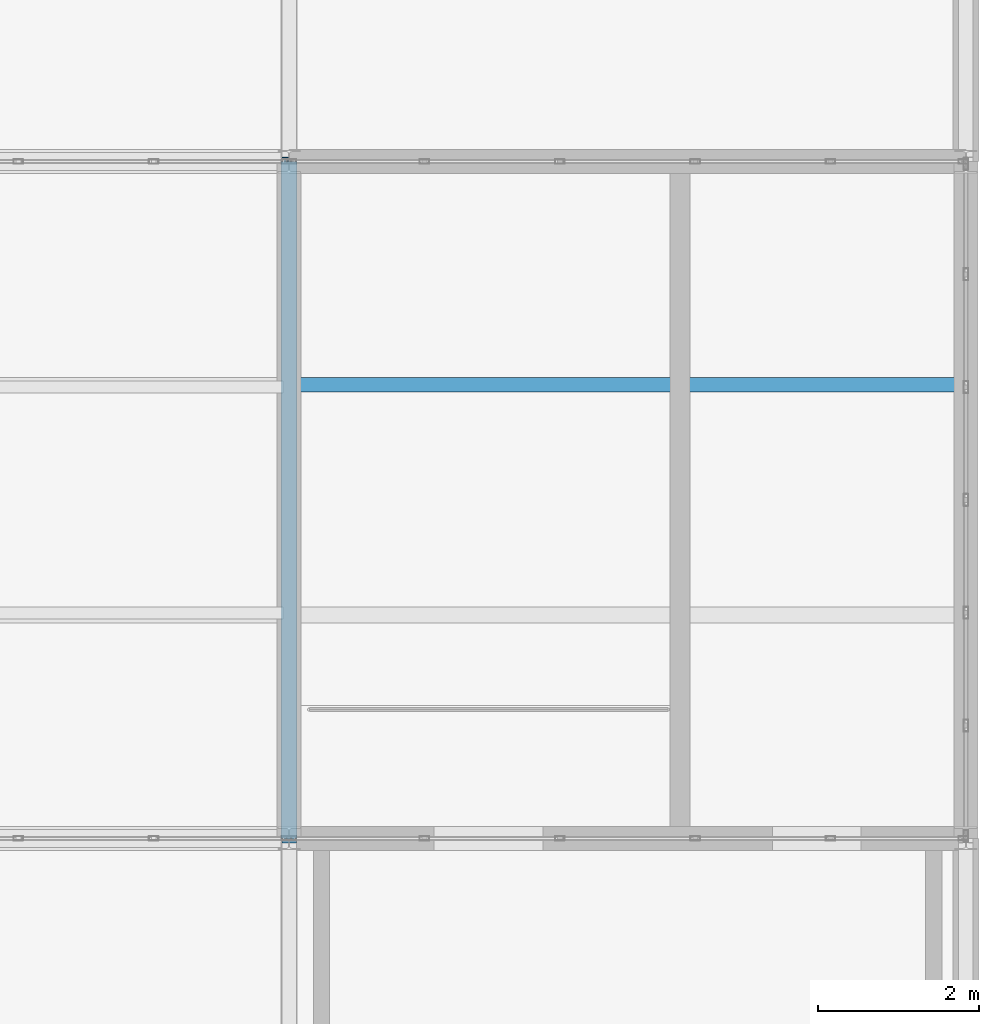
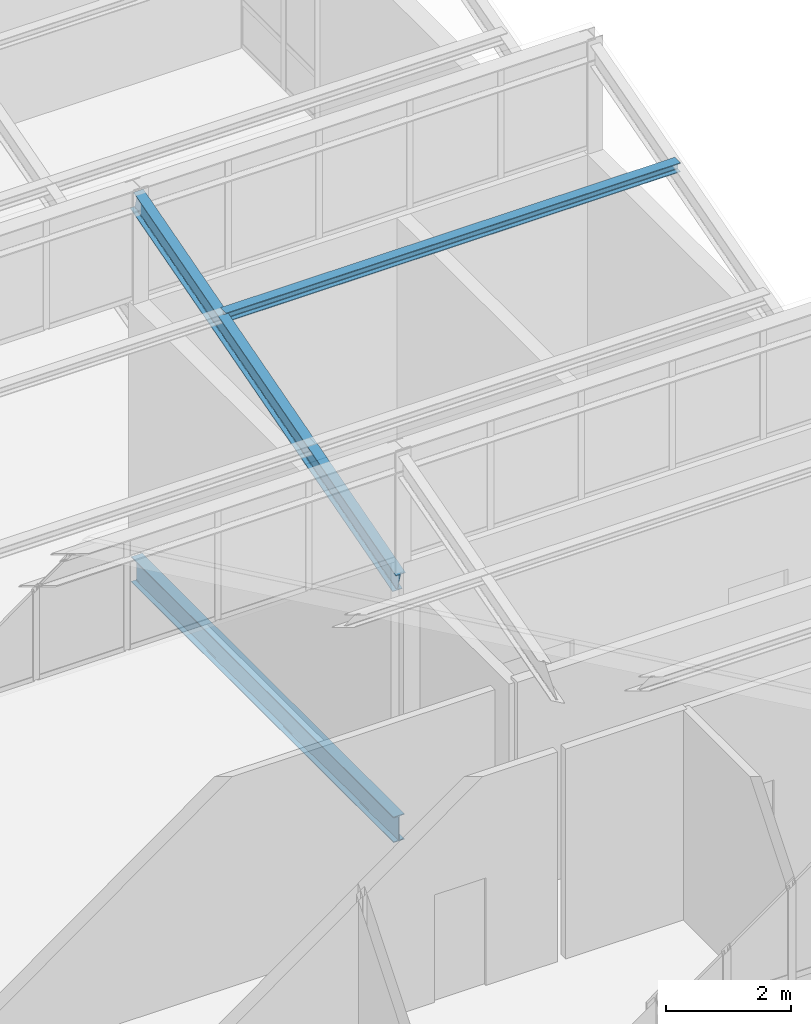
# One storey, part 32 of 53: 2 beams, 1 member.
"""IFC4 building model written with IfcOpenShell, lengths in metres."""

from ifc_helpers import new_model, si_unit, direction, frame, origin, origin_2d, place, context, subcontext, project, spatial, i_section, extrude, material, material_profile, profile_set, type_object, element, save


model = new_model("IFC4")

# Units and contexts
model_context = context("Model", 3, precision=1e-05, world=origin(), true_north=direction((0.0, 1.0)))
body_context = subcontext(model_context, "Body", "Model", "MODEL_VIEW")
ifc_project = project(units=[si_unit("LENGTHUNIT", "METRE"), si_unit("AREAUNIT", "SQUARE_METRE"), si_unit("VOLUMEUNIT", "CUBIC_METRE"), si_unit("PLANEANGLEUNIT", "RADIAN"), si_unit("MASSUNIT", "GRAM", prefix="KILO")], contexts=[model_context])

# Site, building, storey
site_placement = place(None, origin())
site = spatial("IfcSite", under=ifc_project, at=site_placement, CompositionType="ELEMENT")
building_placement = place(site_placement, origin())
building = spatial("IfcBuilding", under=site, at=building_placement, Name="Qalvenar Corner Mobility Hub", CompositionType="ELEMENT")
storey_placement = place(building_placement, frame((0.0, 0.0, 26.39990234375)))
storey = spatial("IfcBuildingStorey", under=building, at=storey_placement, Name="L06", CompositionType="ELEMENT", Elevation=26.39990234375)

# Beams
ifc_material = material(Name="Steel S355", Category="steel")
ifc_material_profile_1 = material_profile(ifc_material, i_section(OverallWidth=0.179931640625, OverallDepth=0.39990234375, WebThickness=0.008544921875, FlangeThickness=0.013427734375, FilletRadius=0.02099609375, at=origin_2d()), Name="IPE400")
ifc_profile_set_1 = profile_set([ifc_material_profile_1], Name="Steel S355")
beam_type_1 = type_object("IfcBeamType", Name="BM-IPE400", PredefinedType="BEAM", material=ifc_profile_set_1)
beam_1_placement = place(storey_placement, frame((33.60009765625, 8.39990234375, 4.340087890625), z_axis=(0.0, 0.961528165748, 0.274706364092), x_axis=(-1.0, 0.0, 0.0)))
element("IfcBeam", 1, at=beam_1_placement, inside=storey, type_object=beam_type_1, Name="Sawtooth Rafter V3RF-2-5", PredefinedType="BEAM", context=body_context, shape_type="SweptSolid", body=[
    extrude(i_section(OverallWidth=0.179931640625, OverallDepth=0.39990234375, WebThickness=0.008544921875, FlangeThickness=0.013427734375, FilletRadius=0.02099609375, at=origin_2d()), origin(), (0.0, 0.0, 1.0), 8.736328125),
])
ifc_material_profile_2 = material_profile(ifc_material, i_section(OverallWidth=0.199951171875, OverallDepth=0.5, WebThickness=0.01025390625, FlangeThickness=0.01611328125, FilletRadius=0.02099609375, at=origin_2d()), Name="IPE500")
ifc_profile_set_2 = profile_set([ifc_material_profile_2], Name="Steel S355")
beam_type_2 = type_object("IfcBeamType", Name="BM-IPE500", PredefinedType="BEAM", material=ifc_profile_set_2)
beam_2_placement = place(storey_placement, frame((33.60009765625, 8.39990234375, -0.469970703125), z_axis=(0.0, 1.0, 0.0), x_axis=(-1.0, 0.0, 0.0)))
element("IfcBeam", 2, at=beam_2_placement, inside=storey, type_object=beam_type_2, Name="Primary Steel Girder GY-3094", PredefinedType="BEAM", context=body_context, shape_type="SweptSolid", body=[
    extrude(i_section(OverallWidth=0.199951171875, OverallDepth=0.5, WebThickness=0.01025390625, FlangeThickness=0.01611328125, FilletRadius=0.02099609375, at=origin_2d()), origin(), (0.0, 0.0, 1.0), 8.400146484375),
])

# Member
ifc_material_profile_3 = material_profile(ifc_material, i_section(OverallWidth=0.179931640625, OverallDepth=0.179931640625, WebThickness=0.008544921875, FlangeThickness=0.013916015625, FilletRadius=0.014892578125, at=origin_2d()), Name="HEB180")
ifc_profile_set_3 = profile_set([ifc_material_profile_3], Name="Steel S355")
member_type = type_object("IfcMemberType", Name="PR-RHS180", PredefinedType="PURLIN", material=ifc_profile_set_3)
member_placement = place(storey_placement, frame((33.60009765625, 14.028076171875, 6.148193359375), z_axis=(1.0, 0.0, 0.0), x_axis=(0.0, 1.0, 0.0)))
element("IfcMember", 3, at=member_placement, inside=storey, type_object=member_type, Name="Sawtooth Roof Purlin PR-V3-2-5-67", PredefinedType="PURLIN", context=body_context, shape_type="SweptSolid", body=[
    extrude(i_section(OverallWidth=0.179931640625, OverallDepth=0.179931640625, WebThickness=0.008544921875, FlangeThickness=0.013916015625, FilletRadius=0.014892578125, at=origin_2d()), origin(), (0.0, 0.0, 1.0), 8.39990234375),
])

save(model, "model.ifc")
